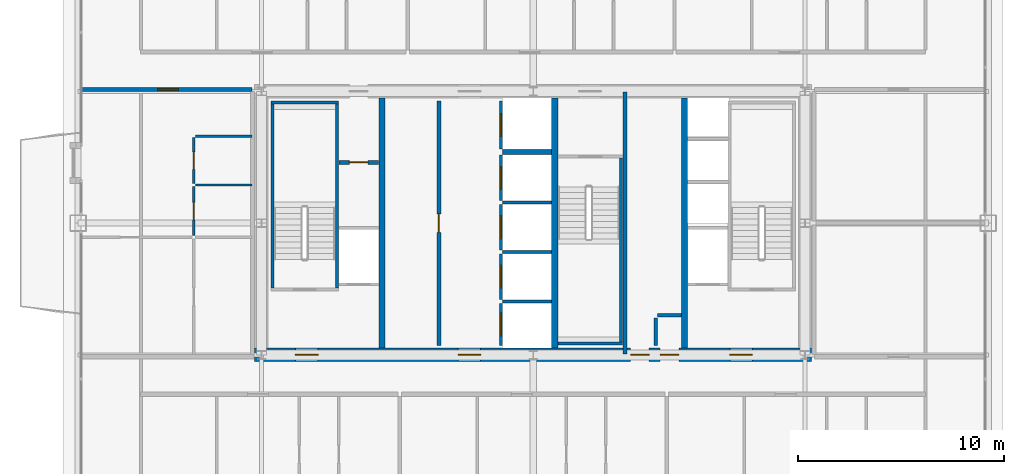
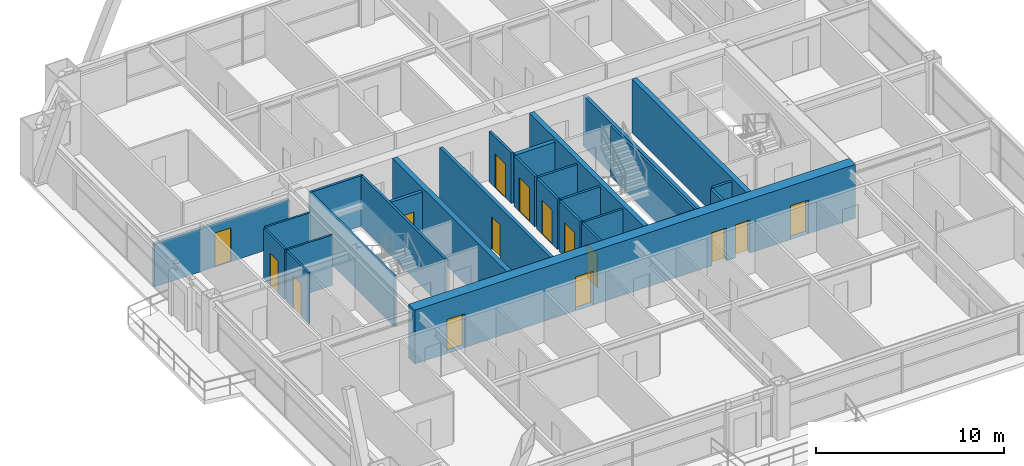
# One storey, part 38 of 42: 28 walls, 15 doors, 15 openings.
"""IFC4 building model written with IfcOpenShell, lengths in metres."""

from ifc_helpers import new_model, si_unit, direction, frame, frame_2d, origin, place, context, subcontext, project, spatial, rectangle, extrude, source, transform, mapped, material, layer, layer_set, type_object, element, fill, save


model = new_model("IFC4")

# Units and contexts
model_context = context("Model", 3, precision=1e-05, world=origin(), true_north=direction((0.0, 1.0)))
body_context = subcontext(model_context, "Body", "Model", "MODEL_VIEW")
ifc_project = project(units=[si_unit("LENGTHUNIT", "METRE"), si_unit("AREAUNIT", "SQUARE_METRE"), si_unit("VOLUMEUNIT", "CUBIC_METRE"), si_unit("PLANEANGLEUNIT", "RADIAN"), si_unit("MASSUNIT", "GRAM", prefix="KILO"), si_unit("THERMODYNAMICTEMPERATUREUNIT", "KELVIN"), si_unit("POWERUNIT", "WATT")], contexts=[model_context])

# Site, building, storey
site_placement = place(None, origin())
site = spatial("IfcSite", under=ifc_project, at=site_placement, CompositionType="ELEMENT")
building_placement = place(site_placement, origin())
building = spatial("IfcBuilding", under=site, at=building_placement, Name="Yuzanri Waterfront Tower", CompositionType="ELEMENT")
storey_placement = place(building_placement, frame((0.0, 0.0, 205.5)))
storey = spatial("IfcBuildingStorey", under=building, at=storey_placement, Name="L54", CompositionType="ELEMENT", Elevation=205.5)

# Wall, opening, door
ifc_material_1 = material(Name="Moisture-Resistant Gypsum Stud Wall", Category="gypsum")
ifc_layer_1 = layer(ifc_material_1, 0.1201171875)
ifc_layer_set_1 = layer_set([ifc_layer_1], Name="Moisture-Resistant Gypsum Stud Wall")
wall_type_1 = type_object("IfcWallType", Name="Bathroom and Kitchen Wet Partition 120", PredefinedType="PARTITIONING", material=ifc_layer_set_1)
wall_1_placement = place(storey_placement, frame((20.52001953125, 25.193115234375, 0.0), z_axis=(0.0, 0.0, 1.0), x_axis=(0.0, 1.0, 0.0)))
wall_1 = element("IfcWall", 1, at=wall_1_placement, inside=storey, type_object=wall_type_1, Name="L54 Partition UW-L54-RW1-SUB-1-W", PredefinedType="PARTITIONING", context=body_context, shape_type="SweptSolid", body=[
    extrude(rectangle(XDim=2.37890625, YDim=0.1201171875, at=frame_2d((1.189453125, 0.0))), origin(), (0.0, 0.0, 1.0), 3.280029296875),
])
opening_1_placement = place(wall_1_placement, frame((0.764404296875, 0.0, 0.0)))
opening_1 = element("IfcOpeningElement", 2, at=opening_1_placement, cuts=wall_1, Name="Opening ID-0850", PredefinedType="OPENING", context=body_context, shape_type="SweptSolid", body=[
    extrude(rectangle(XDim=0.85009765625, YDim=2.10009765625, at=frame_2d((0.425048828125, 1.050048828125))), frame((0.0, 0.074951171875, 0.0), z_axis=(0.0, -1.0, 0.0), x_axis=(1.0, 0.0, 0.0)), (0.0, 0.0, 1.0), 0.14990234375),
])
ifc_material_2 = material(Name="Moisture-Resistant Lacquered Timber", Category="wood")
door_type_1 = type_object("IfcDoorType", Name="En-Suite Bathroom and Kitchen Swing Door 850x2100", OperationType="NOTDEFINED", PredefinedType="DOOR", material=ifc_material_2)
shared_shape_1 = source(origin(), body_context, "Body", "SweptSolid", [
    extrude(rectangle(XDim=0.85009765625, YDim=2.10009765625, at=frame_2d((0.425048828125, 1.050048828125))), frame((0.0, 0.02490234375, 0.0), z_axis=(0.0, -1.0, 0.0), x_axis=(1.0, 0.0, 0.0)), (0.0, 0.0, 1.0), 0.050048828125),
])
door_1_placement = place(opening_1_placement, origin())
door_1 = element("IfcDoor", 3, at=door_1_placement, inside=storey, type_object=door_type_1, Name="L54 Suite Interior Room Door", OperationType="SINGLE_SWING_LEFT", OverallHeight=2.10009765625, OverallWidth=0.85009765625, PredefinedType="DOOR", context=body_context, shape_type="MappedRepresentation", body=[
    mapped(shared_shape_1, transform((0.0, 0.0, 0.0), scale=1.0)),
])
fill(opening_1, door_1)

wall_2_placement = place(storey_placement, frame((20.52001953125, 27.73193359375, 0.0), z_axis=(0.0, 0.0, 1.0), x_axis=(0.0, 1.0, 0.0)))
wall_2 = element("IfcWall", 4, at=wall_2_placement, inside=storey, type_object=wall_type_1, Name="L54 Partition UW-L54-RW1-SUB-2-W", PredefinedType="PARTITIONING", context=body_context, shape_type="SweptSolid", body=[
    extrude(rectangle(XDim=2.218994140625, YDim=0.1201171875, at=frame_2d((1.109375, 0.0))), origin(), (0.0, 0.0, 1.0), 3.280029296875),
])
opening_2_placement = place(wall_2_placement, frame((0.6845703125, 0.0, 0.0)))
opening_2 = element("IfcOpeningElement", 5, at=opening_2_placement, cuts=wall_2, Name="Opening ID-0850", PredefinedType="OPENING", context=body_context, shape_type="SweptSolid", body=[
    extrude(rectangle(XDim=0.85009765625, YDim=2.10009765625, at=frame_2d((0.425048828125, 1.050048828125))), frame((0.0, 0.074951171875, 0.0), z_axis=(0.0, -1.0, 0.0), x_axis=(1.0, 0.0, 0.0)), (0.0, 0.0, 1.0), 0.14990234375),
])
door_2_placement = place(opening_2_placement, origin())
door_2 = element("IfcDoor", 6, at=door_2_placement, inside=storey, type_object=door_type_1, Name="L54 Suite Interior Room Door", OperationType="SINGLE_SWING_RIGHT", OverallHeight=2.10009765625, OverallWidth=0.85009765625, PredefinedType="DOOR", context=body_context, shape_type="MappedRepresentation", body=[
    mapped(shared_shape_1, transform((0.0, 0.0, 0.0), scale=1.0)),
])
fill(opening_2, door_2)

# Wall, openings, doors
ifc_material_3 = material(Name="Concrete C50", Category="concrete")
ifc_layer_2 = layer(ifc_material_3, 0.64990234375)
ifc_layer_set_2 = layer_set([ifc_layer_2], Name="Concrete C50")
wall_type_2 = type_object("IfcWallType", Name="Concrete C50 Mid Zone Core Shear Wall 650", PredefinedType="SHEAR", material=ifc_layer_set_2)
wall_3_placement = place(storey_placement, frame((23.47509765625, 19.39990234375, 0.0), z_axis=(0.0, 0.0, 1.0), x_axis=(1.0, 0.0, 0.0)))
wall_3 = element("IfcWall", 7, at=wall_3_placement, inside=storey, type_object=wall_type_2, Name="L54 Core South Shear Wall", PredefinedType="SHEAR", context=body_context, shape_type="SweptSolid", body=[
    extrude(rectangle(XDim=27.0498046875, YDim=0.64990234375, at=frame_2d((13.52490234375, 0.0))), origin(), (0.0, 0.0, 1.0), 3.5),
])
opening_3_placement = place(wall_3_placement, frame((1.97509765625, 0.0, 0.0)))
opening_3 = element("IfcOpeningElement", 8, at=opening_3_placement, cuts=wall_3, Name="Opening FD-1100", PredefinedType="OPENING", context=body_context, shape_type="SweptSolid", body=[
    extrude(rectangle(XDim=1.10009765625, YDim=2.199951171875, at=frame_2d((0.550048828125, 1.10009765625))), frame((0.0, 0.33984375, 0.0), z_axis=(0.0, -1.0, 0.0), x_axis=(1.0, 0.0, 0.0)), (0.0, 0.0, 1.0), 0.6796875),
])
opening_4_placement = place(wall_3_placement, frame((9.875, 0.0, 0.0)))
opening_4 = element("IfcOpeningElement", 9, at=opening_4_placement, cuts=wall_3, Name="Opening FD-1100", PredefinedType="OPENING", context=body_context, shape_type="SweptSolid", body=[
    extrude(rectangle(XDim=1.10009765625, YDim=2.199951171875, at=frame_2d((0.550048828125, 1.10009765625))), frame((0.0, 0.33984375, 0.0), z_axis=(0.0, -1.0, 0.0), x_axis=(1.0, 0.0, 0.0)), (0.0, 0.0, 1.0), 0.6796875),
])
opening_5_placement = place(wall_3_placement, frame((23.074951171875, 0.0, 0.0)))
opening_5 = element("IfcOpeningElement", 10, at=opening_5_placement, cuts=wall_3, Name="Opening FD-1100", PredefinedType="OPENING", context=body_context, shape_type="SweptSolid", body=[
    extrude(rectangle(XDim=1.10009765625, YDim=2.199951171875, at=frame_2d((0.550048828125, 1.10009765625))), frame((0.0, 0.33984375, 0.0), z_axis=(0.0, -1.0, 0.0), x_axis=(1.0, 0.0, 0.0)), (0.0, 0.0, 1.0), 0.6796875),
])
opening_6_placement = place(wall_3_placement, frame((19.695068359375, 0.0, 0.0)))
opening_6 = element("IfcOpeningElement", 11, at=opening_6_placement, cuts=wall_3, Name="Opening FD-0900", PredefinedType="OPENING", context=body_context, shape_type="SweptSolid", body=[
    extrude(rectangle(XDim=0.89990234375, YDim=2.14990234375, at=frame_2d((0.449951171875, 1.074951171875))), frame((0.0, 0.33984375, 0.0), z_axis=(0.0, -1.0, 0.0), x_axis=(1.0, 0.0, 0.0)), (0.0, 0.0, 1.0), 0.6796875),
])
opening_7_placement = place(wall_3_placement, frame((18.2548828125, 0.0, 0.0)))
opening_7 = element("IfcOpeningElement", 12, at=opening_7_placement, cuts=wall_3, Name="Opening FD-0900", PredefinedType="OPENING", context=body_context, shape_type="SweptSolid", body=[
    extrude(rectangle(XDim=0.89990234375, YDim=2.14990234375, at=frame_2d((0.449951171875, 1.074951171875))), frame((0.0, 0.33984375, 0.0), z_axis=(0.0, -1.0, 0.0), x_axis=(1.0, 0.0, 0.0)), (0.0, 0.0, 1.0), 0.6796875),
])
ifc_material_4 = material(Name="Painted Galvanized Fire Steel", Category="steel")
door_type_2 = type_object("IfcDoorType", Name="Smoke-Proof Stair and Lobby Fire Door 1100x2200", OperationType="NOTDEFINED", PredefinedType="DOOR", material=ifc_material_4)
shared_shape_2 = source(origin(), body_context, "Body", "SweptSolid", [
    extrude(rectangle(XDim=1.10009765625, YDim=2.199951171875, at=frame_2d((0.550048828125, 1.10009765625))), frame((0.0, 0.02490234375, 0.0), z_axis=(0.0, -1.0, 0.0), x_axis=(1.0, 0.0, 0.0)), (0.0, 0.0, 1.0), 0.050048828125),
])
door_3_placement = place(opening_3_placement, origin())
door_3 = element("IfcDoor", 13, at=door_3_placement, inside=storey, type_object=door_type_2, Name="L54 West Firefighting Lobby Door", OperationType="SINGLE_SWING_RIGHT", OverallHeight=2.199951171875, OverallWidth=1.10009765625, PredefinedType="DOOR", context=body_context, shape_type="MappedRepresentation", body=[
    mapped(shared_shape_2, transform((0.0, 0.0, 0.0), scale=1.0)),
])
fill(opening_3, door_3)
door_4_placement = place(opening_4_placement, origin())
door_4 = element("IfcDoor", 14, at=door_4_placement, inside=storey, type_object=door_type_2, Name="L54 Central Lift Lobby South Door", OperationType="SINGLE_SWING_LEFT", OverallHeight=2.199951171875, OverallWidth=1.10009765625, PredefinedType="DOOR", context=body_context, shape_type="MappedRepresentation", body=[
    mapped(shared_shape_2, transform((0.0, 0.0, 0.0), scale=1.0)),
])
fill(opening_4, door_4)
door_5_placement = place(opening_5_placement, origin())
door_5 = element("IfcDoor", 15, at=door_5_placement, inside=storey, type_object=door_type_2, Name="L54 East Firefighting Lobby Door", OperationType="SINGLE_SWING_RIGHT", OverallHeight=2.199951171875, OverallWidth=1.10009765625, PredefinedType="DOOR", context=body_context, shape_type="MappedRepresentation", body=[
    mapped(shared_shape_2, transform((0.0, 0.0, 0.0), scale=1.0)),
])
fill(opening_5, door_5)
ifc_material_5 = material(Name="Painted Galvanized Fire Steel", Category="steel")
door_type_3 = type_object("IfcDoorType", Name="Riser and Service Room Fire Door 900x2150", OperationType="NOTDEFINED", PredefinedType="DOOR", material=ifc_material_5)
shared_shape_3 = source(origin(), body_context, "Body", "SweptSolid", [
    extrude(rectangle(XDim=0.89990234375, YDim=2.14990234375, at=frame_2d((0.449951171875, 1.074951171875))), frame((0.0, 0.02490234375, 0.0), z_axis=(0.0, -1.0, 0.0), x_axis=(1.0, 0.0, 0.0)), (0.0, 0.0, 1.0), 0.050048828125),
])
door_6_placement = place(opening_6_placement, origin())
door_6 = element("IfcDoor", 16, at=door_6_placement, inside=storey, type_object=door_type_3, Name="L54 East Wet Riser Door", OperationType="SINGLE_SWING_RIGHT", OverallHeight=2.14990234375, OverallWidth=0.89990234375, PredefinedType="DOOR", context=body_context, shape_type="MappedRepresentation", body=[
    mapped(shared_shape_3, transform((0.0, 0.0, 0.0), scale=1.0)),
])
fill(opening_6, door_6)
door_7_placement = place(opening_7_placement, origin())
door_7 = element("IfcDoor", 17, at=door_7_placement, inside=storey, type_object=door_type_3, Name="L54 Cleaners Store Room", OperationType="SINGLE_SWING_LEFT", OverallHeight=2.14990234375, OverallWidth=0.89990234375, PredefinedType="DOOR", context=body_context, shape_type="MappedRepresentation", body=[
    mapped(shared_shape_3, transform((0.0, 0.0, 0.0), scale=1.0)),
])
fill(opening_7, door_7)

# Wall, opening, door
ifc_material_6 = material(Name="Concrete C40", Category="concrete")
ifc_layer_3 = layer(ifc_material_6, 0.139892578125)
ifc_layer_set_3 = layer_set([ifc_layer_3], Name="Concrete C40")
wall_type_3 = type_object("IfcWallType", Name="Core Stair Liner and Hoistway Shaft Wall 140", PredefinedType="SOLIDWALL", material=ifc_layer_set_3)
wall_4_placement = place(storey_placement, frame((35.429931640625, 19.860107421875, 0.0), z_axis=(0.0, 0.0, 1.0), x_axis=(0.0, 1.0, 0.0)))
wall_4 = element("IfcWall", 18, at=wall_4_placement, inside=storey, type_object=wall_type_3, Name="L54 Lift PL-05 Front Shaft Wall", PredefinedType="SOLIDWALL", context=body_context, shape_type="SweptSolid", body=[
    extrude(rectangle(XDim=2.039794921875, YDim=0.139892578125, at=frame_2d((1.02001953125, 0.0))), origin(), (0.0, 0.0, 1.0), 3.280029296875),
])
opening_8_placement = place(wall_4_placement, frame((0.469970703125, 0.0, 0.0)))
opening_8 = element("IfcOpeningElement", 19, at=opening_8_placement, cuts=wall_4, Name="Opening LD-PL-05", PredefinedType="OPENING", context=body_context, shape_type="SweptSolid", body=[
    extrude(rectangle(XDim=1.10009765625, YDim=2.199951171875, at=frame_2d((0.550048828125, 1.10009765625))), frame((0.0, 0.0849609375, 0.0), z_axis=(0.0, -1.0, 0.0), x_axis=(1.0, 0.0, 0.0)), (0.0, 0.0, 1.0), 0.169677734375),
])
ifc_material_7 = material(Name="Brushed Bronze and Stainless Steel Cab", Category="steel")
door_type_4 = type_object("IfcDoorType", Name="Center-Parting Bronze Lift Landing Sliding Door 1100x2200", OperationType="NOTDEFINED", PredefinedType="DOOR", material=ifc_material_7)
shared_shape_4 = source(origin(), body_context, "Body", "SweptSolid", [
    extrude(rectangle(XDim=1.10009765625, YDim=2.199951171875, at=frame_2d((0.550048828125, 1.10009765625))), frame((0.0, 0.02490234375, 0.0), z_axis=(0.0, -1.0, 0.0), x_axis=(1.0, 0.0, 0.0)), (0.0, 0.0, 1.0), 0.050048828125),
])
door_8_placement = place(opening_8_placement, origin())
door_8 = element("IfcDoor", 20, at=door_8_placement, inside=storey, type_object=door_type_4, Name="L54 PL-05 Lift Landing Sliding Door", OperationType="SLIDING_TO_RIGHT", OverallHeight=2.199951171875, OverallWidth=1.10009765625, PredefinedType="DOOR", context=body_context, shape_type="MappedRepresentation", body=[
    mapped(shared_shape_4, transform((0.0, 0.0, 0.0), scale=1.0)),
])
fill(opening_8, door_8)

wall_5_placement = place(storey_placement, frame((35.429931640625, 22.10009765625, 0.0), z_axis=(0.0, 0.0, 1.0), x_axis=(0.0, 1.0, 0.0)))
wall_5 = element("IfcWall", 21, at=wall_5_placement, inside=storey, type_object=wall_type_3, Name="L54 Lift PL-06 Front Shaft Wall", PredefinedType="SOLIDWALL", context=body_context, shape_type="SweptSolid", body=[
    extrude(rectangle(XDim=2.199951171875, YDim=0.139892578125, at=frame_2d((1.10009765625, 0.0))), origin(), (0.0, 0.0, 1.0), 3.280029296875),
])
opening_9_placement = place(wall_5_placement, frame((0.550048828125, 0.0, 0.0)))
opening_9 = element("IfcOpeningElement", 22, at=opening_9_placement, cuts=wall_5, Name="Opening LD-PL-06", PredefinedType="OPENING", context=body_context, shape_type="SweptSolid", body=[
    extrude(rectangle(XDim=1.10009765625, YDim=2.199951171875, at=frame_2d((0.550048828125, 1.10009765625))), frame((0.0, 0.0849609375, 0.0), z_axis=(0.0, -1.0, 0.0), x_axis=(1.0, 0.0, 0.0)), (0.0, 0.0, 1.0), 0.169677734375),
])
door_9_placement = place(opening_9_placement, origin())
door_9 = element("IfcDoor", 23, at=door_9_placement, inside=storey, type_object=door_type_4, Name="L54 PL-06 Lift Landing Sliding Door", OperationType="SLIDING_TO_LEFT", OverallHeight=2.199951171875, OverallWidth=1.10009765625, PredefinedType="DOOR", context=body_context, shape_type="MappedRepresentation", body=[
    mapped(shared_shape_4, transform((0.0, 0.0, 0.0), scale=1.0)),
])
fill(opening_9, door_9)

wall_6_placement = place(storey_placement, frame((35.429931640625, 24.5, 0.0), z_axis=(0.0, 0.0, 1.0), x_axis=(0.0, 1.0, 0.0)))
wall_6 = element("IfcWall", 24, at=wall_6_placement, inside=storey, type_object=wall_type_3, Name="L54 Lift PL-07 Front Shaft Wall", PredefinedType="SOLIDWALL", context=body_context, shape_type="SweptSolid", body=[
    extrude(rectangle(XDim=2.199951171875, YDim=0.139892578125, at=frame_2d((1.10009765625, 0.0))), origin(), (0.0, 0.0, 1.0), 3.280029296875),
])
opening_10_placement = place(wall_6_placement, frame((0.550048828125, 0.0, 0.0)))
opening_10 = element("IfcOpeningElement", 25, at=opening_10_placement, cuts=wall_6, Name="Opening LD-PL-07", PredefinedType="OPENING", context=body_context, shape_type="SweptSolid", body=[
    extrude(rectangle(XDim=1.10009765625, YDim=2.199951171875, at=frame_2d((0.550048828125, 1.10009765625))), frame((0.0, 0.0849609375, 0.0), z_axis=(0.0, -1.0, 0.0), x_axis=(1.0, 0.0, 0.0)), (0.0, 0.0, 1.0), 0.169677734375),
])
door_10_placement = place(opening_10_placement, origin())
door_10 = element("IfcDoor", 26, at=door_10_placement, inside=storey, type_object=door_type_4, Name="L54 PL-07 Lift Landing Sliding Door", OperationType="SLIDING_TO_RIGHT", OverallHeight=2.199951171875, OverallWidth=1.10009765625, PredefinedType="DOOR", context=body_context, shape_type="MappedRepresentation", body=[
    mapped(shared_shape_4, transform((0.0, 0.0, 0.0), scale=1.0)),
])
fill(opening_10, door_10)

wall_7_placement = place(storey_placement, frame((35.429931640625, 26.89990234375, 0.0), z_axis=(0.0, 0.0, 1.0), x_axis=(0.0, 1.0, 0.0)))
wall_7 = element("IfcWall", 27, at=wall_7_placement, inside=storey, type_object=wall_type_3, Name="L54 Lift PL-08 Front Shaft Wall", PredefinedType="SOLIDWALL", context=body_context, shape_type="SweptSolid", body=[
    extrude(rectangle(XDim=2.2001953125, YDim=0.139892578125, at=frame_2d((1.10009765625, 0.0))), origin(), (0.0, 0.0, 1.0), 3.280029296875),
])
opening_11_placement = place(wall_7_placement, frame((0.550048828125, 0.0, 0.0)))
opening_11 = element("IfcOpeningElement", 28, at=opening_11_placement, cuts=wall_7, Name="Opening LD-PL-08", PredefinedType="OPENING", context=body_context, shape_type="SweptSolid", body=[
    extrude(rectangle(XDim=1.10009765625, YDim=2.199951171875, at=frame_2d((0.550048828125, 1.10009765625))), frame((0.0, 0.0849609375, 0.0), z_axis=(0.0, -1.0, 0.0), x_axis=(1.0, 0.0, 0.0)), (0.0, 0.0, 1.0), 0.169677734375),
])
door_11_placement = place(opening_11_placement, origin())
door_11 = element("IfcDoor", 29, at=door_11_placement, inside=storey, type_object=door_type_4, Name="L54 PL-08 Lift Landing Sliding Door", OperationType="SLIDING_TO_LEFT", OverallHeight=2.199951171875, OverallWidth=1.10009765625, PredefinedType="DOOR", context=body_context, shape_type="MappedRepresentation", body=[
    mapped(shared_shape_4, transform((0.0, 0.0, 0.0), scale=1.0)),
])
fill(opening_11, door_11)

wall_8_placement = place(storey_placement, frame((35.429931640625, 29.39990234375, 0.0), z_axis=(0.0, 0.0, 1.0), x_axis=(0.0, 1.0, 0.0)))
wall_8 = element("IfcWall", 30, at=wall_8_placement, inside=storey, type_object=wall_type_3, Name="L54 Lift SL-02 Front Shaft Wall", PredefinedType="SOLIDWALL", context=body_context, shape_type="SweptSolid", body=[
    extrude(rectangle(XDim=2.340087890625, YDim=0.139892578125, at=frame_2d((1.169921875, 0.0))), origin(), (0.0, 0.0, 1.0), 3.280029296875),
])
opening_12_placement = place(wall_8_placement, frame((0.6201171875, 0.0, 0.0)))
opening_12 = element("IfcOpeningElement", 31, at=opening_12_placement, cuts=wall_8, Name="Opening LD-SL-02", PredefinedType="OPENING", context=body_context, shape_type="SweptSolid", body=[
    extrude(rectangle(XDim=1.10009765625, YDim=2.199951171875, at=frame_2d((0.550048828125, 1.10009765625))), frame((0.0, 0.0849609375, 0.0), z_axis=(0.0, -1.0, 0.0), x_axis=(1.0, 0.0, 0.0)), (0.0, 0.0, 1.0), 0.169677734375),
])
door_12_placement = place(opening_12_placement, origin())
door_12 = element("IfcDoor", 32, at=door_12_placement, inside=storey, type_object=door_type_4, Name="L54 SL-02 Lift Landing Sliding Door", OperationType="SLIDING_TO_RIGHT", OverallHeight=2.199951171875, OverallWidth=1.10009765625, PredefinedType="DOOR", context=body_context, shape_type="MappedRepresentation", body=[
    mapped(shared_shape_4, transform((0.0, 0.0, 0.0), scale=1.0)),
])
fill(opening_12, door_12)

ifc_material_8 = material(Name="Autoclaved Aerated Concrete Blockwork", Category="masonry")
ifc_layer_4 = layer(ifc_material_8, 0.199951171875)
ifc_layer_set_4 = layer_set([ifc_layer_4], Name="Autoclaved Aerated Concrete Blockwork")
wall_type_4 = type_object("IfcWallType", Name="Corridor and Unit Party Fire Wall 200", PredefinedType="PARTITIONING", material=ifc_layer_set_4)
wall_9_placement = place(storey_placement, frame((27.56005859375, 28.75, 0.0), z_axis=(0.0, 0.0, 1.0), x_axis=(1.0, 0.0, 0.0)))
wall_9 = element("IfcWall", 33, at=wall_9_placement, inside=storey, type_object=wall_type_4, Name="L54 Partition CRW-L54-ERTR", PredefinedType="PARTITIONING", context=body_context, shape_type="SweptSolid", body=[
    extrude(rectangle(XDim=1.919921875, YDim=0.199951171875, at=frame_2d((0.9599609375, 0.0))), origin(), (0.0, 0.0, 1.0), 3.280029296875),
])
opening_13_placement = place(wall_9_placement, frame((0.510009765625, 0.0, 0.0)))
opening_13 = element("IfcOpeningElement", 34, at=opening_13_placement, cuts=wall_9, Name="Opening FD-0900", PredefinedType="OPENING", context=body_context, shape_type="SweptSolid", body=[
    extrude(rectangle(XDim=0.89990234375, YDim=2.14990234375, at=frame_2d((0.449951171875, 1.074951171875))), frame((0.0, 0.11474609375, 0.0), z_axis=(0.0, -1.0, 0.0), x_axis=(1.0, 0.0, 0.0)), (0.0, 0.0, 1.0), 0.229736328125),
])
door_13_placement = place(opening_13_placement, origin())
door_13 = element("IfcDoor", 35, at=door_13_placement, inside=storey, type_object=door_type_3, Name="L54 Electrical Riser Door", OperationType="SINGLE_SWING_RIGHT", OverallHeight=2.14990234375, OverallWidth=0.89990234375, PredefinedType="DOOR", context=body_context, shape_type="MappedRepresentation", body=[
    mapped(shared_shape_3, transform((0.0, 0.0, 0.0), scale=1.0)),
])
fill(opening_13, door_13)

wall_10_placement = place(storey_placement, frame((32.419921875, 19.860107421875, 0.0), z_axis=(0.0, 0.0, 1.0), x_axis=(0.0, 1.0, 0.0)))
wall_10 = element("IfcWall", 36, at=wall_10_placement, inside=storey, type_object=wall_type_4, Name="L54 Partition CRW-L54-B1R-1", PredefinedType="PARTITIONING", context=body_context, shape_type="SweptSolid", body=[
    extrude(rectangle(XDim=11.8798828125, YDim=0.199951171875, at=frame_2d((5.93994140625, 0.0))), origin(), (0.0, 0.0, 1.0), 3.280029296875),
])
opening_14_placement = place(wall_10_placement, frame((5.489990234375, 0.0, 0.0)))
opening_14 = element("IfcOpeningElement", 37, at=opening_14_placement, cuts=wall_10, Name="Opening FD-0900", PredefinedType="OPENING", context=body_context, shape_type="SweptSolid", body=[
    extrude(rectangle(XDim=0.89990234375, YDim=2.14990234375, at=frame_2d((0.449951171875, 1.074951171875))), frame((0.0, 0.11474609375, 0.0), z_axis=(0.0, -1.0, 0.0), x_axis=(1.0, 0.0, 0.0)), (0.0, 0.0, 1.0), 0.229736328125),
])
door_14_placement = place(opening_14_placement, origin())
door_14 = element("IfcDoor", 38, at=door_14_placement, inside=storey, type_object=door_type_3, Name="L54 Private Store Room", OperationType="SINGLE_SWING_LEFT", OverallHeight=2.14990234375, OverallWidth=0.89990234375, PredefinedType="DOOR", context=body_context, shape_type="MappedRepresentation", body=[
    mapped(shared_shape_3, transform((0.0, 0.0, 0.0), scale=1.0)),
])
fill(opening_14, door_14)

wall_11_placement = place(storey_placement, frame((15.050048828125, 32.2900390625, 0.0), z_axis=(0.0, 0.0, 1.0), x_axis=(1.0, 0.0, 0.0)))
wall_11 = element("IfcWall", 39, at=wall_11_placement, inside=storey, type_object=wall_type_4, Name="L54 Partition UW-L54-RW1-CN", PredefinedType="PARTITIONING", context=body_context, shape_type="SweptSolid", body=[
    extrude(rectangle(XDim=8.300048828125, YDim=0.199951171875, at=frame_2d((4.14990234375, 0.0))), origin(), (0.0, 0.0, 1.0), 2.77490234375),
])
opening_15_placement = place(wall_11_placement, frame((3.715087890625, 0.0, 0.0)))
opening_15 = element("IfcOpeningElement", 40, at=opening_15_placement, cuts=wall_11, Name="Opening FD-1000", PredefinedType="OPENING", context=body_context, shape_type="SweptSolid", body=[
    extrude(rectangle(XDim=1.0, YDim=2.199951171875, at=frame_2d((0.5, 1.10009765625))), frame((0.0, 0.11474609375, 0.0), z_axis=(0.0, -1.0, 0.0), x_axis=(1.0, 0.0, 0.0)), (0.0, 0.0, 1.0), 0.229736328125),
])
ifc_material_9 = material(Name="Engineered Oak Fire-Rated Timber", Category="wood")
door_type_5 = type_object("IfcDoorType", Name="Guestroom and Apartment Entrance Fire Door 1000x2200", OperationType="NOTDEFINED", PredefinedType="DOOR", material=ifc_material_9)
shared_shape_5 = source(origin(), body_context, "Body", "SweptSolid", [
    extrude(rectangle(XDim=1.0, YDim=2.199951171875, at=frame_2d((0.5, 1.10009765625))), frame((0.0, 0.02490234375, 0.0), z_axis=(0.0, -1.0, 0.0), x_axis=(1.0, 0.0, 0.0)), (0.0, 0.0, 1.0), 0.050048828125),
])
door_15_placement = place(opening_15_placement, origin())
door_15 = element("IfcDoor", 41, at=door_15_placement, inside=storey, type_object=door_type_5, Name="L54 Wing Residence Living and Dining Room Entrance Door", OperationType="SINGLE_SWING_RIGHT", OverallHeight=2.199951171875, OverallWidth=1.0, PredefinedType="DOOR", context=body_context, shape_type="MappedRepresentation", body=[
    mapped(shared_shape_5, transform((0.0, 0.0, 0.0), scale=1.0)),
])
fill(opening_15, door_15)

# Walls
ifc_material_10 = material(Name="Concrete C50", Category="concrete")
ifc_layer_5 = layer(ifc_material_10, 0.300048828125)
ifc_layer_set_5 = layer_set([ifc_layer_5], Name="Concrete C50")
wall_type_5 = type_object("IfcWallType", Name="Concrete C50 Internal Core Shaft Structural Wall 300", PredefinedType="SOLIDWALL", material=ifc_layer_set_5)
shared_shape_6 = source(origin(), body_context, "Body", "SweptSolid", [
    extrude(rectangle(XDim=12.14990234375, YDim=0.300048828125, at=frame_2d((6.074951171875, 0.0))), origin(), (0.0, 0.0, 1.0), 3.5),
])
for number, where, z_axis, x_axis, name in (
    (42, (29.64990234375, 19.72509765625, 0.0), (0.0, 0.0, 1.0), (0.0, 1.0, 0.0), "L54 Core Internal Structural Web Wall 1"),
    (43, (38.050048828125, 19.72509765625, 0.0), (0.0, 0.0, 1.0), (0.0, 1.0, 0.0), "L54 Core Internal Structural Web Wall 2"),
    (44, (44.35009765625, 19.72509765625, 0.0), (0.0, 0.0, 1.0), (0.0, 1.0, 0.0), "L54 Core Internal Structural Web Wall 3"),
):
    element("IfcWall", number, at=place(storey_placement, frame(where, z_axis=z_axis, x_axis=x_axis)), inside=storey, type_object=wall_type_5, Name=name, PredefinedType="SOLIDWALL", context=body_context, shape_type="MappedRepresentation", body=[
        mapped(shared_shape_6, transform((0.0, 0.0, 0.0), scale=1.0)),
    ])
shared_shape_7 = source(origin(), body_context, "Body", "SweptSolid", [
    extrude(rectangle(XDim=2.39990234375, YDim=0.139892578125, at=frame_2d((1.199951171875, 0.0))), origin(), (0.0, 0.0, 1.0), 3.280029296875),
])
for number, where, z_axis, x_axis, name in (
    (45, (35.5, 22.0, 0.0), (0.0, 0.0, 1.0), (1.0, 0.0, 0.0), "L54 Lift PL-05 Divider Wall"),
    (46, (35.5, 24.39990234375, 0.0), (0.0, 0.0, 1.0), (1.0, 0.0, 0.0), "L54 Lift PL-06 Divider Wall"),
    (47, (35.5, 26.800048828125, 0.0), (0.0, 0.0, 1.0), (1.0, 0.0, 0.0), "L54 Lift PL-07 Divider Wall"),
):
    element("IfcWall", number, at=place(storey_placement, frame(where, z_axis=z_axis, x_axis=x_axis)), inside=storey, type_object=wall_type_3, Name=name, PredefinedType="SOLIDWALL", context=body_context, shape_type="MappedRepresentation", body=[
        mapped(shared_shape_7, transform((0.0, 0.0, 0.0), scale=1.0)),
    ])
ifc_material_11 = material(Name="Concrete C40", Category="concrete")
ifc_layer_6 = layer(ifc_material_11, 0.25)
ifc_layer_set_6 = layer_set([ifc_layer_6], Name="Concrete C40")
wall_type_6 = type_object("IfcWallType", Name="Smoke-Proof Stair and Lift Shaft Wall 250", PredefinedType="SOLIDWALL", material=ifc_layer_set_6)
shared_shape_8 = source(origin(), body_context, "Body", "SweptSolid", [
    extrude(rectangle(XDim=2.39990234375, YDim=0.25, at=frame_2d((1.199951171875, 0.0))), origin(), (0.0, 0.0, 1.0), 3.280029296875),
])
wall_12_placement = place(storey_placement, frame((35.5, 29.25, 0.0), z_axis=(0.0, 0.0, 1.0), x_axis=(1.0, 0.0, 0.0)))
element("IfcWall", 48, at=wall_12_placement, inside=storey, type_object=wall_type_6, Name="L54 Lift SL-02 South Shaft Wall", PredefinedType="SOLIDWALL", context=body_context, shape_type="MappedRepresentation", body=[
    mapped(shared_shape_8, transform((0.0, 0.0, 0.0), scale=1.0)),
])
shared_shape_9 = source(origin(), body_context, "Body", "SweptSolid", [
    extrude(rectangle(XDim=3.280029296875, YDim=0.139892578125, at=frame_2d((1.64013671875, 0.0))), origin(), (0.0, 0.0, 1.0), 3.280029296875),
])
wall_13_placement = place(storey_placement, frame((24.260009765625, 31.64990234375, 0.0), z_axis=(0.0, 0.0, 1.0), x_axis=(1.0, 0.0, 0.0)))
element("IfcWall", 49, at=wall_13_placement, inside=storey, type_object=wall_type_3, Name="L54 Stair ST-01 North Shaft Wall", PredefinedType="SOLIDWALL", context=body_context, shape_type="MappedRepresentation", body=[
    mapped(shared_shape_9, transform((0.0, 0.0, 0.0), scale=1.0)),
])
shared_shape_10 = source(origin(), body_context, "Body", "SweptSolid", [
    extrude(rectangle(XDim=8.940185546875, YDim=0.139892578125, at=frame_2d((4.47021484375, 0.0))), origin(), (0.0, 0.0, 1.0), 3.280029296875),
])
for number, where, z_axis, x_axis, name in (
    (50, (24.330078125, 22.639892578125, 0.0), (0.0, 0.0, 1.0), (0.0, 1.0, 0.0), "L54 Stair ST-01 West Shaft Wall"),
    (51, (27.469970703125, 22.639892578125, 0.0), (0.0, 0.0, 1.0), (0.0, 1.0, 0.0), "L54 Stair ST-01 East Shaft Wall"),
):
    element("IfcWall", number, at=place(storey_placement, frame(where, z_axis=z_axis, x_axis=x_axis)), inside=storey, type_object=wall_type_3, Name=name, PredefinedType="SOLIDWALL", context=body_context, shape_type="MappedRepresentation", body=[
        mapped(shared_shape_10, transform((0.0, 0.0, 0.0), scale=1.0)),
    ])
shared_shape_11 = source(origin(), body_context, "Body", "SweptSolid", [
    extrude(rectangle(XDim=3.14013671875, YDim=0.139892578125, at=frame_2d((1.570068359375, 0.0))), origin(), (0.0, 0.0, 1.0), 3.280029296875),
])
wall_14_placement = place(storey_placement, frame((38.199951171875, 19.949951171875, 0.0), z_axis=(0.0, 0.0, 1.0), x_axis=(1.0, 0.0, 0.0)))
element("IfcWall", 52, at=wall_14_placement, inside=storey, type_object=wall_type_3, Name="L54 Stair ST-03 South Shaft Wall", PredefinedType="SOLIDWALL", context=body_context, shape_type="MappedRepresentation", body=[
    mapped(shared_shape_11, transform((0.0, 0.0, 0.0), scale=1.0)),
])
shared_shape_12 = source(origin(), body_context, "Body", "SweptSolid", [
    extrude(rectangle(XDim=8.93994140625, YDim=0.139892578125, at=frame_2d((4.469970703125, 0.0))), origin(), (0.0, 0.0, 1.0), 3.280029296875),
])
wall_15_placement = place(storey_placement, frame((41.27001953125, 20.02001953125, 0.0), z_axis=(0.0, 0.0, 1.0), x_axis=(0.0, 1.0, 0.0)))
element("IfcWall", 53, at=wall_15_placement, inside=storey, type_object=wall_type_3, Name="L54 Stair ST-03 East Shaft Wall", PredefinedType="SOLIDWALL", context=body_context, shape_type="MappedRepresentation", body=[
    mapped(shared_shape_12, transform((0.0, 0.0, 0.0), scale=1.0)),
])
ifc_material_12 = material(Name="Gypsum Fireboard Acoustic Stud Wall", Category="gypsum")
ifc_layer_7 = layer(ifc_material_12, 0.159912109375)
ifc_layer_set_7 = layer_set([ifc_layer_7], Name="Gypsum Fireboard Acoustic Stud Wall")
wall_type_7 = type_object("IfcWallType", Name="Acoustic Suite Demising Partition 160", PredefinedType="PARTITIONING", material=ifc_layer_set_7)
shared_shape_13 = source(origin(), body_context, "Body", "SweptSolid", [
    extrude(rectangle(XDim=1.33984375, YDim=0.159912109375, at=frame_2d((0.669921875, 0.0))), origin(), (0.0, 0.0, 1.0), 3.280029296875),
])
wall_16_placement = place(storey_placement, frame((42.949951171875, 19.860107421875, 0.0), z_axis=(0.0, 0.0, 1.0), x_axis=(0.0, 1.0, 0.0)))
element("IfcWall", 54, at=wall_16_placement, inside=storey, type_object=wall_type_7, Name="L54 East Wet Riser West Wall", PredefinedType="PARTITIONING", context=body_context, shape_type="MappedRepresentation", body=[
    mapped(shared_shape_13, transform((0.0, 0.0, 0.0), scale=1.0)),
])
shared_shape_14 = source(origin(), body_context, "Body", "SweptSolid", [
    extrude(rectangle(XDim=1.169921875, YDim=0.159912109375, at=frame_2d((0.5849609375, 0.0))), origin(), (0.0, 0.0, 1.0), 3.280029296875),
])
wall_17_placement = place(storey_placement, frame((43.030029296875, 21.320068359375, 0.0), z_axis=(0.0, 0.0, 1.0), x_axis=(1.0, 0.0, 0.0)))
element("IfcWall", 55, at=wall_17_placement, inside=storey, type_object=wall_type_7, Name="L54 East Wet Riser North Wall", PredefinedType="PARTITIONING", context=body_context, shape_type="MappedRepresentation", body=[
    mapped(shared_shape_14, transform((0.0, 0.0, 0.0), scale=1.0)),
])
shared_shape_15 = source(origin(), body_context, "Body", "SweptSolid", [
    extrude(rectangle(XDim=12.719970703125, YDim=0.199951171875, at=frame_2d((6.35986328125, 0.0))), origin(), (0.0, 0.0, 1.0), 3.280029296875),
])
wall_18_placement = place(storey_placement, frame((41.449951171875, 19.43994140625, 0.0), z_axis=(0.0, 0.0, 1.0), x_axis=(0.0, 1.0, 0.0)))
element("IfcWall", 56, at=wall_18_placement, inside=storey, type_object=wall_type_4, Name="L54 Core BOH West Wall 1", PredefinedType="PARTITIONING", context=body_context, shape_type="MappedRepresentation", body=[
    mapped(shared_shape_15, transform((0.0, 0.0, 0.0), scale=1.0)),
])
shared_shape_16 = source(origin(), body_context, "Body", "SweptSolid", [
    extrude(rectangle(XDim=2.75, YDim=0.1201171875, at=frame_2d((1.375, 0.0))), origin(), (0.0, 0.0, 1.0), 3.280029296875),
])
for number, where, z_axis, x_axis, name in (
    (57, (20.60009765625, 27.652099609375, 0.0), (0.0, 0.0, 1.0), (1.0, 0.0, 0.0), "L54 Partition UW-L54-RW1-SUB-1-N"),
    (58, (20.60009765625, 30.031005859375, 0.0), (0.0, 0.0, 1.0), (1.0, 0.0, 0.0), "L54 Partition UW-L54-RW1-SUB-2-N"),
):
    element("IfcWall", number, at=place(storey_placement, frame(where, z_axis=z_axis, x_axis=x_axis)), inside=storey, type_object=wall_type_1, Name=name, PredefinedType="PARTITIONING", context=body_context, shape_type="MappedRepresentation", body=[
        mapped(shared_shape_16, transform((0.0, 0.0, 0.0), scale=1.0)),
    ])

save(model, "model.ifc")
